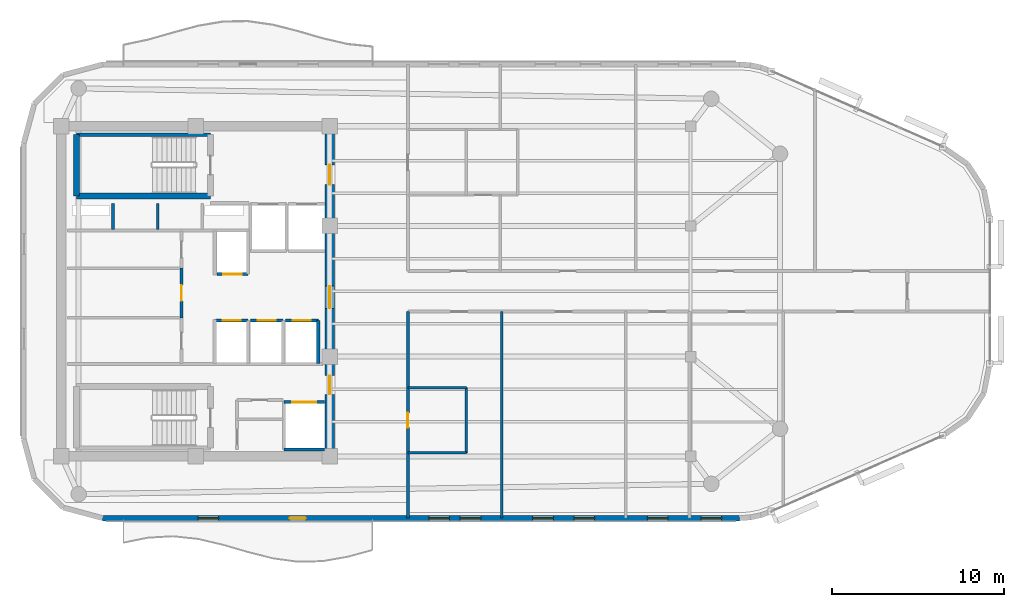
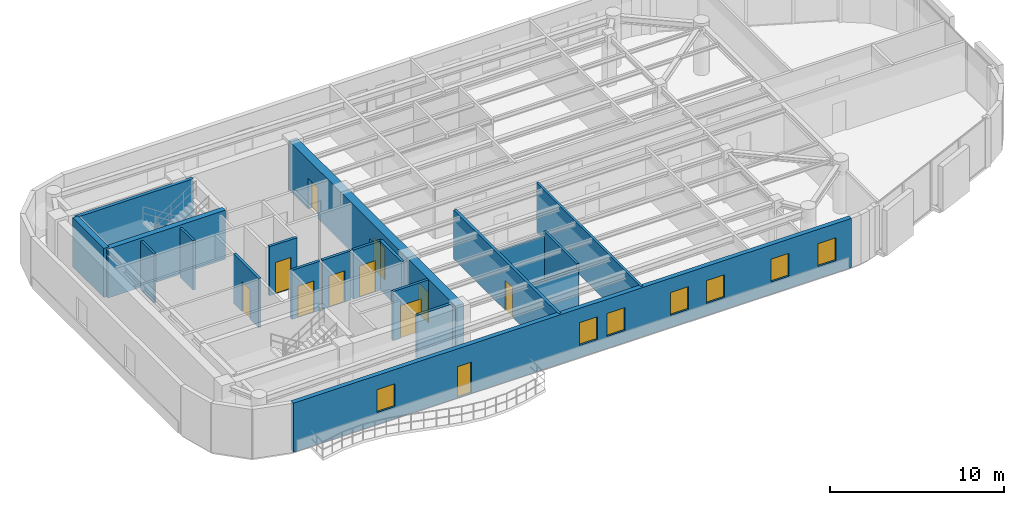
# One storey, part 8 of 14: 20 walls, 11 doors, 7 windows, 18 openings.
"""IFC4 building model written with IfcOpenShell, lengths in metres."""

from ifc_helpers import new_model, si_unit, direction, frame, frame_2d, origin, place, context, subcontext, project, spatial, rectangle, extrude, material, layer, layer_set, type_object, element, fill, save


model = new_model("IFC4")

# Units and contexts
model_context = context("Model", 3, precision=1e-05, world=origin(), true_north=direction((0.0, 1.0)))
body_context = subcontext(model_context, "Body", "Model", "MODEL_VIEW")
ifc_project = project(units=[si_unit("LENGTHUNIT", "METRE"), si_unit("AREAUNIT", "SQUARE_METRE"), si_unit("VOLUMEUNIT", "CUBIC_METRE"), si_unit("PLANEANGLEUNIT", "RADIAN"), si_unit("MASSUNIT", "GRAM", prefix="KILO")], contexts=[model_context])

# Site, building, storey
site_placement = place(None, origin())
site = spatial("IfcSite", under=ifc_project, at=site_placement, CompositionType="ELEMENT")
building_placement = place(site_placement, origin())
building = spatial("IfcBuilding", under=site, at=building_placement, Name="An Khanh Terracotta Commons", CompositionType="ELEMENT")
storey_placement = place(building_placement, frame((0.0, 0.0, 284.35009765625)))
storey = spatial("IfcBuildingStorey", under=building, at=storey_placement, Name="L74", CompositionType="ELEMENT", Elevation=284.35009765625)

# Wall, openings, doors
ifc_material_1 = material(Name="Concrete C50/60", Category="concrete")
ifc_layer_1 = layer(ifc_material_1, 0.550048828125, Name="Concrete C50/60")
ifc_layer_set_1 = layer_set([ifc_layer_1], Name="Concrete C50/60")
wall_type_1 = type_object("IfcWallType", Name="WALL-CORE-550", PredefinedType="SHEAR", material=ifc_layer_set_1)
wall_1_placement = place(storey_placement, frame((37.199951171875, 14.39990234375, 0.0), z_axis=(0.0, 0.0, 1.0), x_axis=(0.0, 1.0, 0.0)))
wall_1 = element("IfcWall", 1, at=wall_1_placement, inside=storey, type_object=wall_type_1, Name="L74 Core Wall CWALL-L74-E", PredefinedType="SHEAR", context=body_context, shape_type="SweptSolid", body=[
    extrude(rectangle(XDim=19.2001953125, YDim=0.550048828125, at=frame_2d((9.60009765625, 0.0))), origin(), (0.0, 0.0, 1.0), 3.449951171875),
])
opening_1_placement = place(wall_1_placement, frame((15.800048828125, 0.0, 0.0)))
opening_1 = element("IfcOpeningElement", 2, at=opening_1_placement, cuts=wall_1, Name="Opening D-FFL", PredefinedType="OPENING", context=body_context, shape_type="SweptSolid", body=[
    extrude(rectangle(XDim=1.14990234375, YDim=2.14990234375, at=frame_2d((0.574951171875, 1.074951171875))), frame((0.0, 0.284912109375, 0.0), z_axis=(0.0, -1.0, 0.0), x_axis=(1.0, 0.0, 0.0)), (0.0, 0.0, 1.0), 0.570068359375),
])
opening_2_placement = place(wall_1_placement, frame((3.60009765625, 0.0, 0.0)))
opening_2 = element("IfcOpeningElement", 3, at=opening_2_placement, cuts=wall_1, Name="Opening D-ST", PredefinedType="OPENING", context=body_context, shape_type="SweptSolid", body=[
    extrude(rectangle(XDim=1.10009765625, YDim=2.14990234375, at=frame_2d((0.550048828125, 1.074951171875))), frame((0.0, 0.284912109375, 0.0), z_axis=(0.0, -1.0, 0.0), x_axis=(1.0, 0.0, 0.0)), (0.0, 0.0, 1.0), 0.570068359375),
])
opening_3_placement = place(wall_1_placement, frame((8.60009765625, 0.0, 0.0)))
opening_3 = element("IfcOpeningElement", 4, at=opening_3_placement, cuts=wall_1, Name="Opening D-COR", PredefinedType="OPENING", context=body_context, shape_type="SweptSolid", body=[
    extrude(rectangle(XDim=1.300048828125, YDim=2.199951171875, at=frame_2d((0.64990234375, 1.10009765625))), frame((0.0, 0.284912109375, 0.0), z_axis=(0.0, -1.0, 0.0), x_axis=(1.0, 0.0, 0.0)), (0.0, 0.0, 1.0), 0.570068359375),
])
ifc_material_2 = material(Name="Fire-Rated Glazed Steel Double Door", Category="steel")
door_type_1 = type_object("IfcDoorType", Name="DOOR-CORR-1300", OperationType="NOTDEFINED", PredefinedType="DOOR", material=ifc_material_2)
door_1_placement = place(opening_3_placement, origin())
door_1 = element("IfcDoor", 5, at=door_1_placement, inside=storey, type_object=door_type_1, Name="L74 Passenger Lift Lobby Double Door", OperationType="DOUBLE_DOOR_SINGLE_SWING", OverallHeight=2.199951171875, OverallWidth=1.300048828125, PredefinedType="DOOR", context=body_context, shape_type="SweptSolid", body=[
    extrude(rectangle(XDim=1.300048828125, YDim=2.199951171875, at=frame_2d((0.64990234375, 1.10009765625))), frame((0.0, 0.02490234375, 0.0), z_axis=(0.0, -1.0, 0.0), x_axis=(1.0, 0.0, 0.0)), (0.0, 0.0, 1.0), 0.050048828125),
])
fill(opening_3, door_1)
ifc_material_3 = material(Name="Fire-Rated Steel Leaf and Vision Panel", Category="steel")
door_type_2 = type_object("IfcDoorType", Name="DOOR-FFL-1150", OperationType="NOTDEFINED", PredefinedType="DOOR", material=ifc_material_3)
door_2_placement = place(opening_1_placement, origin())
door_2 = element("IfcDoor", 6, at=door_2_placement, inside=storey, type_object=door_type_2, Name="L74 Firefighting Lift Lobby Fire Door", OperationType="SINGLE_SWING_RIGHT", OverallHeight=2.14990234375, OverallWidth=1.14990234375, PredefinedType="DOOR", context=body_context, shape_type="SweptSolid", body=[
    extrude(rectangle(XDim=1.14990234375, YDim=2.14990234375, at=frame_2d((0.574951171875, 1.074951171875))), frame((0.0, 0.02490234375, 0.0), z_axis=(0.0, -1.0, 0.0), x_axis=(1.0, 0.0, 0.0)), (0.0, 0.0, 1.0), 0.050048828125),
])
fill(opening_1, door_2)
ifc_material_4 = material(Name="Fire-Rated Steel Leaf and Frame", Category="steel")
door_type_3 = type_object("IfcDoorType", Name="DOOR-STAIR-1100", OperationType="NOTDEFINED", PredefinedType="DOOR", material=ifc_material_4)
door_3_placement = place(opening_2_placement, origin())
door_3 = element("IfcDoor", 7, at=door_3_placement, inside=storey, type_object=door_type_3, Name="L74 South Stair Lobby Fire Door", OperationType="SINGLE_SWING_LEFT", OverallHeight=2.14990234375, OverallWidth=1.10009765625, PredefinedType="DOOR", context=body_context, shape_type="SweptSolid", body=[
    extrude(rectangle(XDim=1.10009765625, YDim=2.14990234375, at=frame_2d((0.550048828125, 1.074951171875))), frame((0.0, 0.02490234375, 0.0), z_axis=(0.0, -1.0, 0.0), x_axis=(1.0, 0.0, 0.0)), (0.0, 0.0, 1.0), 0.050048828125),
])
fill(opening_2, door_3)

# Wall, opening, door
ifc_material_5 = material(Name="Fire-Rated Gypsum Board on Steel Stud", Category="steel")
ifc_layer_2 = layer(ifc_material_5, 0.179931640625, Name="Fire-Rated Gypsum Board on Steel Stud")
ifc_layer_set_2 = layer_set([ifc_layer_2], Name="Fire-Rated Gypsum Board on Steel Stud")
wall_type_2 = type_object("IfcWallType", Name="WALL-CORR-180", PredefinedType="PARTITIONING", material=ifc_layer_set_2)
wall_2_placement = place(storey_placement, frame((34.550048828125, 17.550048828125, 0.0), z_axis=(0.0, 0.0, 1.0), x_axis=(1.0, 0.0, 0.0)))
wall_2 = element("IfcWall", 8, at=wall_2_placement, inside=storey, type_object=wall_type_2, Name="L74 Core Wall LSH-L74-SVL-01-N", PredefinedType="PARTITIONING", context=body_context, shape_type="SweptSolid", body=[
    extrude(rectangle(XDim=2.349853515625, YDim=0.179931640625, at=frame_2d((1.1748046875, 0.0))), origin(), (0.0, 0.0, 1.0), 3.449951171875),
])
opening_4_placement = place(wall_2_placement, frame((0.47509765625, 0.0, 0.0)))
opening_4 = element("IfcOpeningElement", 9, at=opening_4_placement, cuts=wall_2, Name="Opening LD-SVL-01-L74", PredefinedType="OPENING", context=body_context, shape_type="SweptSolid", body=[
    extrude(rectangle(XDim=1.39990234375, YDim=2.300048828125, at=frame_2d((0.699951171875, 1.14990234375))), frame((0.0, 0.099853515625, 0.0), z_axis=(0.0, -1.0, 0.0), x_axis=(1.0, 0.0, 0.0)), (0.0, 0.0, 1.0), 0.199951171875),
])
ifc_material_6 = material(Name="Heavy-Duty Stainless Steel Goods Landing Door", Category="steel")
door_type_4 = type_object("IfcDoorType", Name="DOOR-LD-SVL-1400", OperationType="NOTDEFINED", PredefinedType="DOOR", material=ifc_material_6)
door_4_placement = place(opening_4_placement, origin())
door_4 = element("IfcDoor", 10, at=door_4_placement, inside=storey, type_object=door_type_4, Name="L74 Lift SVL-01 Sliding Landing Door", OperationType="DOUBLE_DOOR_SLIDING", OverallHeight=2.300048828125, OverallWidth=1.39990234375, PredefinedType="DOOR", context=body_context, shape_type="SweptSolid", body=[
    extrude(rectangle(XDim=1.39990234375, YDim=2.300048828125, at=frame_2d((0.699951171875, 1.14990234375))), frame((0.0, 0.02490234375, 0.0), z_axis=(0.0, -1.0, 0.0), x_axis=(1.0, 0.0, 0.0)), (0.0, 0.0, 1.0), 0.050048828125),
])
fill(opening_4, door_4)

# Wall
wall_3_placement = place(storey_placement, frame((36.89990234375, 14.800048828125, 0.0), z_axis=(0.0, 0.0, 1.0), x_axis=(-1.0, 0.0, 0.0)))
element("IfcWall", 11, at=wall_3_placement, inside=storey, type_object=wall_type_2, Name="L74 Core Wall LSH-L74-SVL-01-S", PredefinedType="PARTITIONING", context=body_context, shape_type="SweptSolid", body=[
    extrude(rectangle(XDim=2.349853515625, YDim=0.179931640625, at=frame_2d((1.1748046875, 0.0))), origin(), (0.0, 0.0, 1.0), 3.449951171875),
])

# Wall, opening, door
wall_4_placement = place(storey_placement, frame((32.4599609375, 25.0, 0.0), z_axis=(0.0, 0.0, 1.0), x_axis=(-1.0, 0.0, 0.0)))
wall_4 = element("IfcWall", 12, at=wall_4_placement, inside=storey, type_object=wall_type_2, Name="L74 Core Wall LSH-L74-PL-H1-S", PredefinedType="PARTITIONING", context=body_context, shape_type="SweptSolid", body=[
    extrude(rectangle(XDim=1.820068359375, YDim=0.179931640625, at=frame_2d((0.91015625, 0.0))), origin(), (0.0, 0.0, 1.0), 3.449951171875),
])
opening_5_placement = place(wall_4_placement, frame((0.385009765625, 0.0, 0.0)))
opening_5 = element("IfcOpeningElement", 13, at=opening_5_placement, cuts=wall_4, Name="Opening LD-PL-H1-L74", PredefinedType="OPENING", context=body_context, shape_type="SweptSolid", body=[
    extrude(rectangle(XDim=1.050048828125, YDim=2.199951171875, at=frame_2d((0.52490234375, 1.10009765625))), frame((0.0, 0.099853515625, 0.0), z_axis=(0.0, -1.0, 0.0), x_axis=(1.0, 0.0, 0.0)), (0.0, 0.0, 1.0), 0.199951171875),
])
ifc_material_7 = material(Name="Brushed Stainless Steel High-Rise Landing Door", Category="steel")
door_type_5 = type_object("IfcDoorType", Name="DOOR-LD-PAXH-1050", OperationType="NOTDEFINED", PredefinedType="DOOR", material=ifc_material_7)
door_5_placement = place(opening_5_placement, origin())
door_5 = element("IfcDoor", 14, at=door_5_placement, inside=storey, type_object=door_type_5, Name="L74 Lift PL-H1 Sliding Landing Door", OperationType="DOUBLE_DOOR_SLIDING", OverallHeight=2.199951171875, OverallWidth=1.050048828125, PredefinedType="DOOR", context=body_context, shape_type="SweptSolid", body=[
    extrude(rectangle(XDim=1.050048828125, YDim=2.199951171875, at=frame_2d((0.52490234375, 1.10009765625))), frame((0.0, 0.02490234375, 0.0), z_axis=(0.0, -1.0, 0.0), x_axis=(1.0, 0.0, 0.0)), (0.0, 0.0, 1.0), 0.050048828125),
])
fill(opening_5, door_5)

wall_5_placement = place(storey_placement, frame((30.56005859375, 22.300048828125, 0.0), z_axis=(0.0, 0.0, 1.0), x_axis=(1.0, 0.0, 0.0)))
wall_5 = element("IfcWall", 15, at=wall_5_placement, inside=storey, type_object=wall_type_2, Name="L74 Core Wall LSH-L74-PL-H2-N", PredefinedType="PARTITIONING", context=body_context, shape_type="SweptSolid", body=[
    extrude(rectangle(XDim=1.89990234375, YDim=0.179931640625, at=frame_2d((0.949951171875, 0.0))), origin(), (0.0, 0.0, 1.0), 3.449951171875),
])
opening_6_placement = place(wall_5_placement, frame((0.425048828125, 0.0, 0.0)))
opening_6 = element("IfcOpeningElement", 16, at=opening_6_placement, cuts=wall_5, Name="Opening LD-PL-H2-L74", PredefinedType="OPENING", context=body_context, shape_type="SweptSolid", body=[
    extrude(rectangle(XDim=1.050048828125, YDim=2.199951171875, at=frame_2d((0.52490234375, 1.10009765625))), frame((0.0, 0.099853515625, 0.0), z_axis=(0.0, -1.0, 0.0), x_axis=(1.0, 0.0, 0.0)), (0.0, 0.0, 1.0), 0.199951171875),
])
door_6_placement = place(opening_6_placement, origin())
door_6 = element("IfcDoor", 17, at=door_6_placement, inside=storey, type_object=door_type_5, Name="L74 Lift PL-H2 Sliding Landing Door", OperationType="DOUBLE_DOOR_SLIDING", OverallHeight=2.199951171875, OverallWidth=1.050048828125, PredefinedType="DOOR", context=body_context, shape_type="SweptSolid", body=[
    extrude(rectangle(XDim=1.050048828125, YDim=2.199951171875, at=frame_2d((0.52490234375, 1.10009765625))), frame((0.0, 0.02490234375, 0.0), z_axis=(0.0, -1.0, 0.0), x_axis=(1.0, 0.0, 0.0)), (0.0, 0.0, 1.0), 0.050048828125),
])
fill(opening_6, door_6)

wall_6_placement = place(storey_placement, frame((32.60009765625, 22.300048828125, 0.0), z_axis=(0.0, 0.0, 1.0), x_axis=(1.0, 0.0, 0.0)))
wall_6 = element("IfcWall", 18, at=wall_6_placement, inside=storey, type_object=wall_type_2, Name="L74 Core Wall LSH-L74-PL-H3-N", PredefinedType="PARTITIONING", context=body_context, shape_type="SweptSolid", body=[
    extrude(rectangle(XDim=1.89990234375, YDim=0.179931640625, at=frame_2d((0.949951171875, 0.0))), origin(), (0.0, 0.0, 1.0), 3.449951171875),
])
opening_7_placement = place(wall_6_placement, frame((0.425048828125, 0.0, 0.0)))
opening_7 = element("IfcOpeningElement", 19, at=opening_7_placement, cuts=wall_6, Name="Opening LD-PL-H3-L74", PredefinedType="OPENING", context=body_context, shape_type="SweptSolid", body=[
    extrude(rectangle(XDim=1.050048828125, YDim=2.199951171875, at=frame_2d((0.52490234375, 1.10009765625))), frame((0.0, 0.099853515625, 0.0), z_axis=(0.0, -1.0, 0.0), x_axis=(1.0, 0.0, 0.0)), (0.0, 0.0, 1.0), 0.199951171875),
])
door_7_placement = place(opening_7_placement, origin())
door_7 = element("IfcDoor", 20, at=door_7_placement, inside=storey, type_object=door_type_5, Name="L74 Lift PL-H3 Sliding Landing Door", OperationType="DOUBLE_DOOR_SLIDING", OverallHeight=2.199951171875, OverallWidth=1.050048828125, PredefinedType="DOOR", context=body_context, shape_type="SweptSolid", body=[
    extrude(rectangle(XDim=1.050048828125, YDim=2.199951171875, at=frame_2d((0.52490234375, 1.10009765625))), frame((0.0, 0.02490234375, 0.0), z_axis=(0.0, -1.0, 0.0), x_axis=(1.0, 0.0, 0.0)), (0.0, 0.0, 1.0), 0.050048828125),
])
fill(opening_7, door_7)

wall_7_placement = place(storey_placement, frame((34.639892578125, 22.300048828125, 0.0), z_axis=(0.0, 0.0, 1.0), x_axis=(1.0, 0.0, 0.0)))
wall_7 = element("IfcWall", 21, at=wall_7_placement, inside=storey, type_object=wall_type_2, Name="L74 Core Wall LSH-L74-PL-H4-N", PredefinedType="PARTITIONING", context=body_context, shape_type="SweptSolid", body=[
    extrude(rectangle(XDim=1.900146484375, YDim=0.179931640625, at=frame_2d((0.9501953125, 0.0))), origin(), (0.0, 0.0, 1.0), 3.449951171875),
])
opening_8_placement = place(wall_7_placement, frame((0.425048828125, 0.0, 0.0)))
opening_8 = element("IfcOpeningElement", 22, at=opening_8_placement, cuts=wall_7, Name="Opening LD-PL-H4-L74", PredefinedType="OPENING", context=body_context, shape_type="SweptSolid", body=[
    extrude(rectangle(XDim=1.050048828125, YDim=2.199951171875, at=frame_2d((0.52490234375, 1.10009765625))), frame((0.0, 0.099853515625, 0.0), z_axis=(0.0, -1.0, 0.0), x_axis=(1.0, 0.0, 0.0)), (0.0, 0.0, 1.0), 0.199951171875),
])
door_8_placement = place(opening_8_placement, origin())
door_8 = element("IfcDoor", 23, at=door_8_placement, inside=storey, type_object=door_type_5, Name="L74 Lift PL-H4 Sliding Landing Door", OperationType="DOUBLE_DOOR_SLIDING", OverallHeight=2.199951171875, OverallWidth=1.050048828125, PredefinedType="DOOR", context=body_context, shape_type="SweptSolid", body=[
    extrude(rectangle(XDim=1.050048828125, YDim=2.199951171875, at=frame_2d((0.52490234375, 1.10009765625))), frame((0.0, 0.02490234375, 0.0), z_axis=(0.0, -1.0, 0.0), x_axis=(1.0, 0.0, 0.0)), (0.0, 0.0, 1.0), 0.050048828125),
])
fill(opening_8, door_8)

# Wall
wall_8_placement = place(storey_placement, frame((36.5400390625, 19.800048828125, 0.0), z_axis=(0.0, 0.0, 1.0), x_axis=(0.0, 1.0, 0.0)))
element("IfcWall", 24, at=wall_8_placement, inside=storey, type_object=wall_type_2, Name="L74 Core Wall LSH-L74-PL-H4-E", PredefinedType="PARTITIONING", context=body_context, shape_type="SweptSolid", body=[
    extrude(rectangle(XDim=2.5, YDim=0.179931640625, at=frame_2d((1.25, 0.0))), origin(), (0.0, 0.0, 1.0), 3.449951171875),
])

# Wall, opening, door
wall_9_placement = place(storey_placement, frame((28.580078125, 22.449951171875, 0.0), z_axis=(0.0, 0.0, 1.0), x_axis=(0.0, 1.0, 0.0)))
wall_9 = element("IfcWall", 25, at=wall_9_placement, inside=storey, type_object=wall_type_2, Name="L74 Core Wall RECW-L74-E2", PredefinedType="PARTITIONING", context=body_context, shape_type="SweptSolid", body=[
    extrude(rectangle(XDim=2.900146484375, YDim=0.179931640625, at=frame_2d((1.4501953125, 0.0))), origin(), (0.0, 0.0, 1.0), 3.449951171875),
])
opening_9_placement = place(wall_9_placement, frame((0.989990234375, 0.0, 0.0)))
opening_9 = element("IfcOpeningElement", 26, at=opening_9_placement, cuts=wall_9, Name="Opening D-RM", PredefinedType="OPENING", context=body_context, shape_type="SweptSolid", body=[
    extrude(rectangle(XDim=0.919921875, YDim=2.10009765625, at=frame_2d((0.4599609375, 1.050048828125))), frame((0.0, 0.099853515625, 0.0), z_axis=(0.0, -1.0, 0.0), x_axis=(1.0, 0.0, 0.0)), (0.0, 0.0, 1.0), 0.199951171875),
])
ifc_material_8 = material(Name="Engineered Hardwood Timber Leaf", Category="wood")
door_type_6 = type_object("IfcDoorType", Name="DOOR-INT-920", OperationType="NOTDEFINED", PredefinedType="DOOR", material=ifc_material_8)
door_9_placement = place(opening_9_placement, origin())
door_9 = element("IfcDoor", 27, at=door_9_placement, inside=storey, type_object=door_type_6, Name="L74 Floor Pantry and Tea Room Door", OperationType="SINGLE_SWING_LEFT", OverallHeight=2.10009765625, OverallWidth=0.919921875, PredefinedType="DOOR", context=body_context, shape_type="SweptSolid", body=[
    extrude(rectangle(XDim=0.919921875, YDim=2.10009765625, at=frame_2d((0.4599609375, 1.050048828125))), frame((0.0, 0.02490234375, 0.0), z_axis=(0.0, -1.0, 0.0), x_axis=(1.0, 0.0, 0.0)), (0.0, 0.0, 1.0), 0.050048828125),
])
fill(opening_9, door_9)

wall_10_placement = place(storey_placement, frame((41.75, 10.800048828125, 0.0), z_axis=(0.0, 0.0, 1.0), x_axis=(0.0, 1.0, 0.0)))
wall_10 = element("IfcWall", 28, at=wall_10_placement, inside=storey, type_object=wall_type_2, Name="L74 Interior Partition IW-L74-E007", PredefinedType="PARTITIONING", context=body_context, shape_type="SweptSolid", body=[
    extrude(rectangle(XDim=12.02001953125, YDim=0.179931640625, at=frame_2d((6.010009765625, 0.0))), origin(), (0.0, 0.0, 1.0), 3.449951171875),
])
opening_10_placement = place(wall_10_placement, frame((5.27001953125, 0.0, 0.0)))
opening_10 = element("IfcOpeningElement", 29, at=opening_10_placement, cuts=wall_10, Name="Opening D-ENS", PredefinedType="OPENING", context=body_context, shape_type="SweptSolid", body=[
    extrude(rectangle(XDim=0.860107421875, YDim=2.10009765625, at=frame_2d((0.43017578125, 1.050048828125))), frame((0.0, 0.099853515625, 0.0), z_axis=(0.0, -1.0, 0.0), x_axis=(1.0, 0.0, 0.0)), (0.0, 0.0, 1.0), 0.199951171875),
])
ifc_material_9 = material(Name="Moisture-Resistant Hardwood Timber Leaf", Category="wood")
door_type_7 = type_object("IfcDoorType", Name="DOOR-BATH-860", OperationType="NOTDEFINED", PredefinedType="DOOR", material=ifc_material_9)
door_10_placement = place(opening_10_placement, origin())
door_10 = element("IfcDoor", 30, at=door_10_placement, inside=storey, type_object=door_type_7, Name="L74 SHW Resident Shared Shower and Washroom Door", OperationType="SINGLE_SWING_RIGHT", OverallHeight=2.10009765625, OverallWidth=0.860107421875, PredefinedType="DOOR", context=body_context, shape_type="SweptSolid", body=[
    extrude(rectangle(XDim=0.860107421875, YDim=2.10009765625, at=frame_2d((0.43017578125, 1.050048828125))), frame((0.0, 0.02490234375, 0.0), z_axis=(0.0, -1.0, 0.0), x_axis=(1.0, 0.0, 0.0)), (0.0, 0.0, 1.0), 0.050048828125),
])
fill(opening_10, door_10)

# Wall, openings, door, windows
ifc_material_10 = material(Name="Precast concrete C40/50", Category="concrete")
ifc_layer_3 = layer(ifc_material_10, 0.300048828125, Name="Precast concrete C40/50")
ifc_layer_set_3 = layer_set([ifc_layer_3], Name="Precast concrete C40/50")
wall_type_3 = type_object("IfcWallType", Name="WALL-EXT-300", PredefinedType="SOLIDWALL", material=ifc_layer_set_3)
wall_11_placement = place(storey_placement, frame((24.0, 10.800048828125, 0.0), z_axis=(0.0, 0.0, 1.0), x_axis=(1.0, 0.0, 0.0)))
wall_11 = element("IfcWall", 31, at=wall_11_placement, inside=storey, type_object=wall_type_3, Name="L74 Insulated Terracotta Exterior Wall 4", PredefinedType="SOLIDWALL", context=body_context, shape_type="SweptSolid", body=[
    extrude(rectangle(XDim=37.030029296875, YDim=0.300048828125, at=frame_2d((18.51513671875, 0.0))), origin(), (0.0, 0.0, 1.0), 3.449951171875),
])
opening_11_placement = place(wall_11_placement, frame((10.875, 0.0, 0.0)))
opening_11 = element("IfcOpeningElement", 32, at=opening_11_placement, cuts=wall_11, Name="Opening D-BAL", PredefinedType="OPENING", context=body_context, shape_type="SweptSolid", body=[
    extrude(rectangle(XDim=0.949951171875, YDim=2.199951171875, at=frame_2d((0.47509765625, 1.10009765625))), frame((0.0, 0.159912109375, 0.0), z_axis=(0.0, -1.0, 0.0), x_axis=(1.0, 0.0, 0.0)), (0.0, 0.0, 1.0), 0.320068359375),
])
opening_12_placement = place(wall_11_placement, frame((5.550048828125, 0.0, 0.85009765625)))
opening_12 = element("IfcOpeningElement", 33, at=opening_12_placement, cuts=wall_11, Name="Opening W-05", PredefinedType="OPENING", context=body_context, shape_type="SweptSolid", body=[
    extrude(rectangle(XDim=1.199951171875, YDim=1.60009765625, at=frame_2d((0.60009765625, 0.800048828125))), frame((0.0, 0.159912109375, 0.0), z_axis=(0.0, -1.0, 0.0), x_axis=(1.0, 0.0, 0.0)), (0.0, 0.0, 1.0), 0.320068359375),
])
opening_13_placement = place(wall_11_placement, frame((18.969970703125, 0.0, 0.85009765625)))
opening_13 = element("IfcOpeningElement", 34, at=opening_13_placement, cuts=wall_11, Name="Opening W-05", PredefinedType="OPENING", context=body_context, shape_type="SweptSolid", body=[
    extrude(rectangle(XDim=1.199951171875, YDim=1.60009765625, at=frame_2d((0.60009765625, 0.800048828125))), frame((0.0, 0.159912109375, 0.0), z_axis=(0.0, -1.0, 0.0), x_axis=(1.0, 0.0, 0.0)), (0.0, 0.0, 1.0), 0.320068359375),
])
opening_14_placement = place(wall_11_placement, frame((20.791015625, 0.0, 0.85009765625)))
opening_14 = element("IfcOpeningElement", 35, at=opening_14_placement, cuts=wall_11, Name="Opening W-05", PredefinedType="OPENING", context=body_context, shape_type="SweptSolid", body=[
    extrude(rectangle(XDim=1.199951171875, YDim=1.60009765625, at=frame_2d((0.60009765625, 0.800048828125))), frame((0.0, 0.159912109375, 0.0), z_axis=(0.0, -1.0, 0.0), x_axis=(1.0, 0.0, 0.0)), (0.0, 0.0, 1.0), 0.320068359375),
])
opening_15_placement = place(wall_11_placement, frame((25.012939453125, 0.0, 0.85009765625)))
opening_15 = element("IfcOpeningElement", 36, at=opening_15_placement, cuts=wall_11, Name="Opening W-05", PredefinedType="OPENING", context=body_context, shape_type="SweptSolid", body=[
    extrude(rectangle(XDim=1.199951171875, YDim=1.60009765625, at=frame_2d((0.60009765625, 0.800048828125))), frame((0.0, 0.159912109375, 0.0), z_axis=(0.0, -1.0, 0.0), x_axis=(1.0, 0.0, 0.0)), (0.0, 0.0, 1.0), 0.320068359375),
])
opening_16_placement = place(wall_11_placement, frame((27.416015625, 0.0, 0.85009765625)))
opening_16 = element("IfcOpeningElement", 37, at=opening_16_placement, cuts=wall_11, Name="Opening W-05", PredefinedType="OPENING", context=body_context, shape_type="SweptSolid", body=[
    extrude(rectangle(XDim=1.199951171875, YDim=1.60009765625, at=frame_2d((0.60009765625, 0.800048828125))), frame((0.0, 0.159912109375, 0.0), z_axis=(0.0, -1.0, 0.0), x_axis=(1.0, 0.0, 0.0)), (0.0, 0.0, 1.0), 0.320068359375),
])
opening_17_placement = place(wall_11_placement, frame((31.675048828125, 0.0, 0.85009765625)))
opening_17 = element("IfcOpeningElement", 38, at=opening_17_placement, cuts=wall_11, Name="Opening W-05", PredefinedType="OPENING", context=body_context, shape_type="SweptSolid", body=[
    extrude(rectangle(XDim=1.199951171875, YDim=1.60009765625, at=frame_2d((0.60009765625, 0.800048828125))), frame((0.0, 0.159912109375, 0.0), z_axis=(0.0, -1.0, 0.0), x_axis=(1.0, 0.0, 0.0)), (0.0, 0.0, 1.0), 0.320068359375),
])
opening_18_placement = place(wall_11_placement, frame((34.805908203125, 0.0, 0.85009765625)))
opening_18 = element("IfcOpeningElement", 39, at=opening_18_placement, cuts=wall_11, Name="Opening W-05", PredefinedType="OPENING", context=body_context, shape_type="SweptSolid", body=[
    extrude(rectangle(XDim=1.199951171875, YDim=1.60009765625, at=frame_2d((0.60009765625, 0.800048828125))), frame((0.0, 0.159912109375, 0.0), z_axis=(0.0, -1.0, 0.0), x_axis=(1.0, 0.0, 0.0)), (0.0, 0.0, 1.0), 0.320068359375),
])
ifc_material_11 = material(Name="Thermally Broken Aluminium and Low-E Glass", Category="aluminium")
door_type_8 = type_object("IfcDoorType", Name="DOOR-BALC-950", OperationType="NOTDEFINED", PredefinedType="DOOR", material=ifc_material_11)
door_11_placement = place(opening_11_placement, origin())
door_11 = element("IfcDoor", 40, at=door_11_placement, inside=storey, type_object=door_type_8, Name="L74 S Wave Balcony Glazed Door", OperationType="SINGLE_SWING_LEFT", OverallHeight=2.199951171875, OverallWidth=0.949951171875, PredefinedType="DOOR", context=body_context, shape_type="SweptSolid", body=[
    extrude(rectangle(XDim=0.949951171875, YDim=2.199951171875, at=frame_2d((0.47509765625, 1.10009765625))), frame((0.0, 0.02490234375, 0.0), z_axis=(0.0, -1.0, 0.0), x_axis=(1.0, 0.0, 0.0)), (0.0, 0.0, 1.0), 0.050048828125),
])
fill(opening_11, door_11)
window_type = type_object("IfcWindowType", Name="WIN-Z5-1200x1600", PartitioningType="SINGLE_PANEL", PredefinedType="WINDOW", material=ifc_material_11)
window_1_placement = place(opening_12_placement, origin())
window_1 = element("IfcWindow", 41, at=window_1_placement, inside=storey, type_object=window_type, Name="L74 Operable Casement Window 4.1", OverallHeight=1.60009765625, OverallWidth=1.199951171875, PartitioningType="SINGLE_PANEL", PredefinedType="WINDOW", context=body_context, shape_type="SweptSolid", body=[
    extrude(rectangle(XDim=1.199951171875, YDim=1.60009765625, at=frame_2d((0.60009765625, 0.800048828125))), frame((0.0, 0.030029296875, 0.0), z_axis=(0.0, -1.0, 0.0), x_axis=(1.0, 0.0, 0.0)), (0.0, 0.0, 1.0), 0.06005859375),
])
fill(opening_12, window_1)
window_2_placement = place(opening_13_placement, origin())
window_2 = element("IfcWindow", 42, at=window_2_placement, inside=storey, type_object=window_type, Name="L74 Operable Casement Window 4.2", OverallHeight=1.60009765625, OverallWidth=1.199951171875, PartitioningType="SINGLE_PANEL", PredefinedType="WINDOW", context=body_context, shape_type="SweptSolid", body=[
    extrude(rectangle(XDim=1.199951171875, YDim=1.60009765625, at=frame_2d((0.60009765625, 0.800048828125))), frame((0.0, 0.030029296875, 0.0), z_axis=(0.0, -1.0, 0.0), x_axis=(1.0, 0.0, 0.0)), (0.0, 0.0, 1.0), 0.06005859375),
])
fill(opening_13, window_2)
window_3_placement = place(opening_14_placement, origin())
window_3 = element("IfcWindow", 43, at=window_3_placement, inside=storey, type_object=window_type, Name="L74 Operable Casement Window 4.3", OverallHeight=1.60009765625, OverallWidth=1.199951171875, PartitioningType="SINGLE_PANEL", PredefinedType="WINDOW", context=body_context, shape_type="SweptSolid", body=[
    extrude(rectangle(XDim=1.199951171875, YDim=1.60009765625, at=frame_2d((0.60009765625, 0.800048828125))), frame((0.0, 0.030029296875, 0.0), z_axis=(0.0, -1.0, 0.0), x_axis=(1.0, 0.0, 0.0)), (0.0, 0.0, 1.0), 0.06005859375),
])
fill(opening_14, window_3)
window_4_placement = place(opening_15_placement, origin())
window_4 = element("IfcWindow", 44, at=window_4_placement, inside=storey, type_object=window_type, Name="L74 Operable Casement Window 4.4", OverallHeight=1.60009765625, OverallWidth=1.199951171875, PartitioningType="SINGLE_PANEL", PredefinedType="WINDOW", context=body_context, shape_type="SweptSolid", body=[
    extrude(rectangle(XDim=1.199951171875, YDim=1.60009765625, at=frame_2d((0.60009765625, 0.800048828125))), frame((0.0, 0.030029296875, 0.0), z_axis=(0.0, -1.0, 0.0), x_axis=(1.0, 0.0, 0.0)), (0.0, 0.0, 1.0), 0.06005859375),
])
fill(opening_15, window_4)
window_5_placement = place(opening_16_placement, origin())
window_5 = element("IfcWindow", 45, at=window_5_placement, inside=storey, type_object=window_type, Name="L74 Operable Casement Window 4.5", OverallHeight=1.60009765625, OverallWidth=1.199951171875, PartitioningType="SINGLE_PANEL", PredefinedType="WINDOW", context=body_context, shape_type="SweptSolid", body=[
    extrude(rectangle(XDim=1.199951171875, YDim=1.60009765625, at=frame_2d((0.60009765625, 0.800048828125))), frame((0.0, 0.030029296875, 0.0), z_axis=(0.0, -1.0, 0.0), x_axis=(1.0, 0.0, 0.0)), (0.0, 0.0, 1.0), 0.06005859375),
])
fill(opening_16, window_5)
window_6_placement = place(opening_17_placement, origin())
window_6 = element("IfcWindow", 46, at=window_6_placement, inside=storey, type_object=window_type, Name="L74 Operable Casement Window 4.6", OverallHeight=1.60009765625, OverallWidth=1.199951171875, PartitioningType="SINGLE_PANEL", PredefinedType="WINDOW", context=body_context, shape_type="SweptSolid", body=[
    extrude(rectangle(XDim=1.199951171875, YDim=1.60009765625, at=frame_2d((0.60009765625, 0.800048828125))), frame((0.0, 0.030029296875, 0.0), z_axis=(0.0, -1.0, 0.0), x_axis=(1.0, 0.0, 0.0)), (0.0, 0.0, 1.0), 0.06005859375),
])
fill(opening_17, window_6)
window_7_placement = place(opening_18_placement, origin())
window_7 = element("IfcWindow", 47, at=window_7_placement, inside=storey, type_object=window_type, Name="L74 Operable Casement Window 4.7", OverallHeight=1.60009765625, OverallWidth=1.199951171875, PartitioningType="SINGLE_PANEL", PredefinedType="WINDOW", context=body_context, shape_type="SweptSolid", body=[
    extrude(rectangle(XDim=1.199951171875, YDim=1.60009765625, at=frame_2d((0.60009765625, 0.800048828125))), frame((0.0, 0.030029296875, 0.0), z_axis=(0.0, -1.0, 0.0), x_axis=(1.0, 0.0, 0.0)), (0.0, 0.0, 1.0), 0.06005859375),
])
fill(opening_18, window_7)

# Walls
ifc_material_12 = material(Name="Acoustic Gypsum Board Partition")
ifc_layer_4 = layer(ifc_material_12, 0.14990234375, Name="Acoustic Gypsum Board Partition")
ifc_layer_set_4 = layer_set([ifc_layer_4], Name="Acoustic Gypsum Board Partition")
wall_type_4 = type_object("IfcWallType", Name="WALL-PART-150", PredefinedType="PARTITIONING", material=ifc_layer_set_4)
for number, where, z_axis, x_axis, name in (
    (48, (24.60009765625, 27.60009765625, 0.0), (0.0, 0.0, 1.0), (0.0, 1.0, 0.0), "L74 Core Wall RSRW-L74-D1"),
    (49, (27.199951171875, 27.60009765625, 0.0), (0.0, 0.0, 1.0), (0.0, 1.0, 0.0), "L74 Core Wall RSRW-L74-D2"),
):
    element("IfcWall", number, at=place(storey_placement, frame(where, z_axis=z_axis, x_axis=x_axis)), inside=storey, type_object=wall_type_4, Name=name, PredefinedType="PARTITIONING", context=body_context, shape_type="SweptSolid", body=[
        extrude(rectangle(XDim=1.52001953125, YDim=0.14990234375, at=frame_2d((0.760009765625, 0.0))), origin(), (0.0, 0.0, 1.0), 3.449951171875),
    ])
wall_12_placement = place(storey_placement, frame((41.75, 14.60009765625, 0.0), z_axis=(0.0, 0.0, 1.0), x_axis=(1.0, 0.0, 0.0)))
element("IfcWall", 50, at=wall_12_placement, inside=storey, type_object=wall_type_4, Name="L74 Interior Partition IW-L74-E001", PredefinedType="PARTITIONING", context=body_context, shape_type="SweptSolid", body=[
    extrude(rectangle(XDim=3.39990234375, YDim=0.14990234375, at=frame_2d((1.699951171875, 0.0))), origin(), (0.0, 0.0, 1.0), 3.091796875),
])
wall_13_placement = place(storey_placement, frame((41.75, 18.39990234375, 0.0), z_axis=(0.0, 0.0, 1.0), x_axis=(1.0, 0.0, 0.0)))
element("IfcWall", 51, at=wall_13_placement, inside=storey, type_object=wall_type_4, Name="L74 Interior Partition IW-L74-E002", PredefinedType="PARTITIONING", context=body_context, shape_type="SweptSolid", body=[
    extrude(rectangle(XDim=3.39990234375, YDim=0.14990234375, at=frame_2d((1.699951171875, 0.0))), origin(), (0.0, 0.0, 1.0), 3.1318359375),
])
wall_14_placement = place(storey_placement, frame((45.14990234375, 14.60009765625, 0.0), z_axis=(0.0, 0.0, 1.0), x_axis=(0.0, 1.0, 0.0)))
element("IfcWall", 52, at=wall_14_placement, inside=storey, type_object=wall_type_4, Name="L74 Interior Partition IW-L74-E009", PredefinedType="PARTITIONING", context=body_context, shape_type="SweptSolid", body=[
    extrude(rectangle(XDim=3.7998046875, YDim=0.14990234375, at=frame_2d((1.89990234375, 0.0))), origin(), (0.0, 0.0, 1.0), 3.449951171875),
])
wall_15_placement = place(storey_placement, frame((47.2109375, 10.800048828125, 0.0), z_axis=(0.0, 0.0, 1.0), x_axis=(0.0, 1.0, 0.0)))
element("IfcWall", 53, at=wall_15_placement, inside=storey, type_object=wall_type_4, Name="L74 Interior Partition IW-L74-E011", PredefinedType="PARTITIONING", context=body_context, shape_type="SweptSolid", body=[
    extrude(rectangle(XDim=12.02001953125, YDim=0.14990234375, at=frame_2d((6.010009765625, 0.0))), origin(), (0.0, 0.0, 1.0), 3.449951171875),
])
ifc_material_13 = material(Name="Acoustic Double-Stud Gypsum and Mineral Wool")
ifc_layer_5 = layer(ifc_material_13, 0.219970703125, Name="Acoustic Double-Stud Gypsum and Mineral Wool")
ifc_layer_set_5 = layer_set([ifc_layer_5], Name="Acoustic Double-Stud Gypsum and Mineral Wool")
wall_type_5 = type_object("IfcWallType", Name="WALL-PARTY-220", PredefinedType="PARTITIONING", material=ifc_layer_set_5)
wall_16_placement = place(storey_placement, frame((22.47998046875, 33.110107421875, 0.0), z_axis=(0.0, 0.0, 1.0), x_axis=(1.0, 0.0, 0.0)))
element("IfcWall", 54, at=wall_16_placement, inside=storey, type_object=wall_type_5, Name="L74 Core Wall STW-L74-N-N", PredefinedType="PARTITIONING", context=body_context, shape_type="SweptSolid", body=[
    extrude(rectangle(XDim=7.7900390625, YDim=0.219970703125, at=frame_2d((3.89501953125, 0.0))), origin(), (0.0, 0.0, 1.0), 3.449951171875),
])
ifc_layer_6 = layer(ifc_material_1, 0.35009765625, Name="Concrete C50/60")
ifc_layer_set_6 = layer_set([ifc_layer_6], Name="Concrete C50/60")
wall_type_6 = type_object("IfcWallType", Name="WALL-SHAFT-350", PredefinedType="SOLIDWALL", material=ifc_layer_set_6)
wall_17_placement = place(storey_placement, frame((22.47998046875, 29.530029296875, 0.0), z_axis=(0.0, 0.0, 1.0), x_axis=(1.0, 0.0, 0.0)))
element("IfcWall", 55, at=wall_17_placement, inside=storey, type_object=wall_type_6, Name="L74 Core Wall STW-L74-N-S", PredefinedType="SOLIDWALL", context=body_context, shape_type="SweptSolid", body=[
    extrude(rectangle(XDim=7.7900390625, YDim=0.35009765625, at=frame_2d((3.89501953125, 0.0))), origin(), (0.0, 0.0, 1.0), 3.449951171875),
])
wall_18_placement = place(storey_placement, frame((22.47998046875, 29.530029296875, 0.0), z_axis=(0.0, 0.0, 1.0), x_axis=(0.0, 1.0, 0.0)))
element("IfcWall", 56, at=wall_18_placement, inside=storey, type_object=wall_type_6, Name="L74 Core Wall STW-L74-N-W", PredefinedType="SOLIDWALL", context=body_context, shape_type="SweptSolid", body=[
    extrude(rectangle(XDim=3.580078125, YDim=0.35009765625, at=frame_2d((1.7900390625, 0.0))), origin(), (0.0, 0.0, 1.0), 3.449951171875),
])

save(model, "model.ifc")
